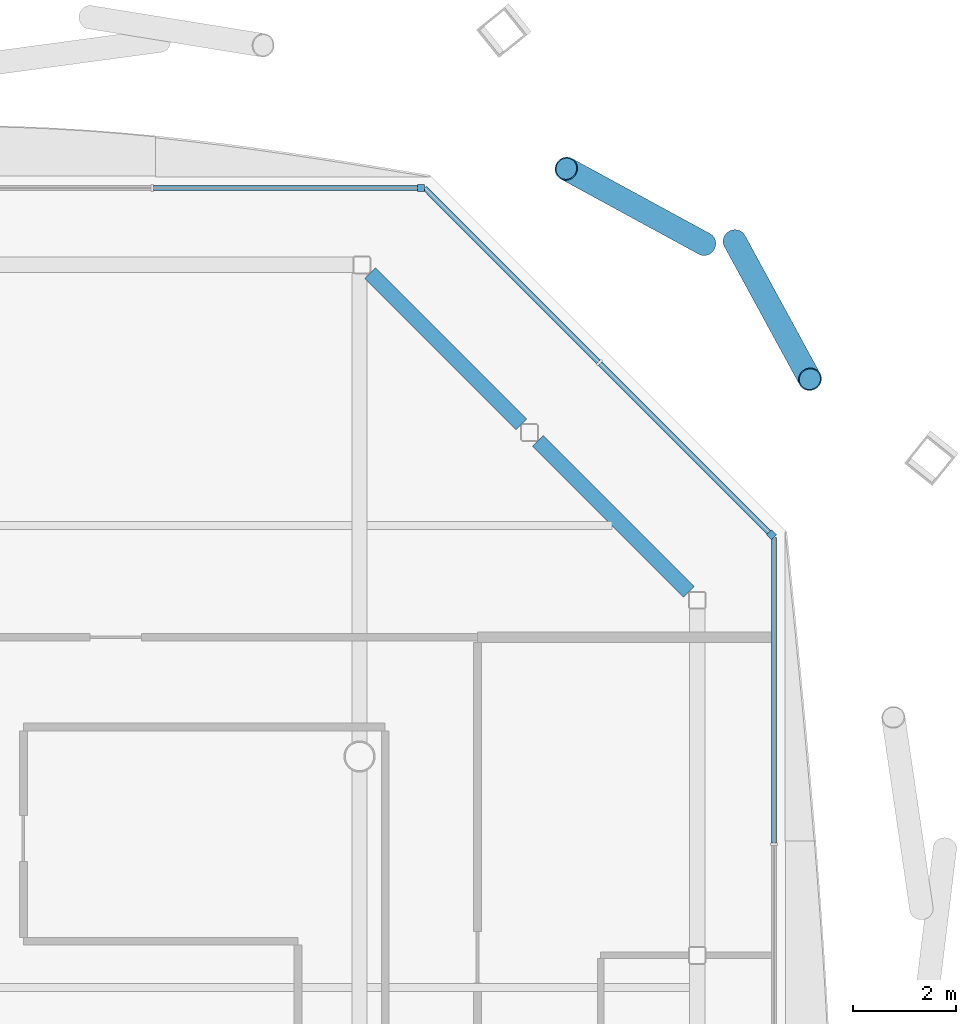
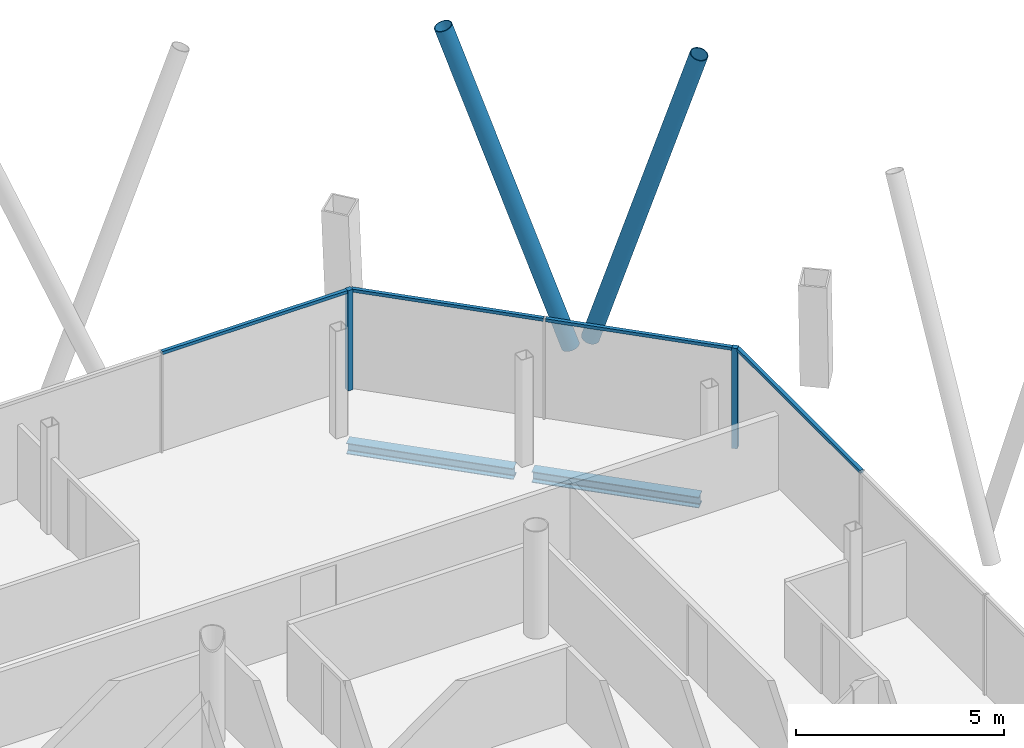
# One storey, part 11 of 19: 8 members, 2 beams, 3 elements without a shape of their own.
"""IFC4 building model written with IfcOpenShell, lengths in metres."""

import ifcopenshell
import ifcopenshell.guid

model = None  # the IFC model being written
_history = None  # IfcOwnerHistory: only IFC2X3 demands one
_inside = {}  # id of a spatial element -> (the spatial element, [elements in it])
_under = {}  # id of a project, library or spatial element -> (it, [spatial elements below it])
_declared = {}  # id of a project -> (the project, [libraries it declares])
_typed = {}  # id of a type object -> (the type object, [elements of that type])
_made_of = {}  # id of a material, layer set ... -> (it, [elements and type objects made of it])


def new_model(schema):
    """Start an empty IFC model of exactly this schema.

    Asked for "IFC4X3", IfcOpenShell would pick the latest addendum, in which some entities
    have other attributes; the version numbers below select the first issue.
    IFC2X3 requires an IfcOwnerHistory on every rooted entity: one is made here for all.
    """
    global model, _history
    if schema == "IFC4X3":
        model = ifcopenshell.file(schema_version=(4, 3, 0, 0))
    else:
        model = ifcopenshell.file(schema=schema)
    _inside.clear()
    _under.clear()
    _declared.clear()
    _typed.clear()
    _made_of.clear()
    _history = None
    if model.schema == "IFC2X3":
        org = make("IfcOrganization", Name="unknown")
        user = make(
            "IfcPersonAndOrganization",
            ThePerson=make("IfcPerson", FamilyName="unknown"),
            TheOrganization=org,
        )
        app = make(
            "IfcApplication",
            ApplicationDeveloper=org,
            Version="unknown",
            ApplicationFullName="unknown",
            ApplicationIdentifier="unknown",
        )
        _history = make(
            "IfcOwnerHistory",
            OwningUser=user,
            OwningApplication=app,
            ChangeAction="ADDED",
            CreationDate=0,
        )
    return model


def make(cls, **values):
    """One entity of the class cls with the attributes given. An attribute that is None is left unset."""
    return model.create_entity(
        cls, **{name: value for name, value in values.items() if value is not None}
    )


def rooted(cls, **values):
    """An entity with a GlobalId (a new one), such as an element, a storey or a relation."""
    return make(cls, GlobalId=ifcopenshell.guid.new(), OwnerHistory=_history, **values)


def si_unit(unit_type, name, prefix=None):
    """IfcSIUnit, for example si_unit("LENGTHUNIT", "METRE", prefix="MILLI")."""
    return make("IfcSIUnit", UnitType=unit_type, Prefix=prefix, Name=name)


def assignment(units):
    """IfcUnitAssignment: the units of a project."""
    return None if units is None else make("IfcUnitAssignment", Units=units)


def point(xyz):
    """IfcCartesianPoint."""
    return None if xyz is None else make("IfcCartesianPoint", Coordinates=xyz)


def direction(xyz):
    """IfcDirection."""
    return None if xyz is None else make("IfcDirection", DirectionRatios=xyz)


def frame(location, z_axis=None, x_axis=None):
    """IfcAxis2Placement3D, a coordinate frame: its origin and axes. An axis left out is left unset."""
    return make(
        "IfcAxis2Placement3D",
        Location=point(location),
        Axis=direction(z_axis),
        RefDirection=direction(x_axis),
    )


def frame_2d(location, x_axis=None):
    """IfcAxis2Placement2D, a coordinate frame in the plane: its origin and x axis."""
    return make(
        "IfcAxis2Placement2D", Location=point(location), RefDirection=direction(x_axis)
    )


def origin():
    """The frame at (0, 0, 0) with its axes left unset."""
    return frame((0.0, 0.0, 0.0))


def origin_2d():
    """The frame at (0, 0) in the plane with its x axis left unset."""
    return frame_2d((0.0, 0.0))


def place(relative_to, where):
    """IfcLocalPlacement: puts the frame where relative to a parent placement (None: the world)."""
    return make(
        "IfcLocalPlacement", PlacementRelTo=relative_to, RelativePlacement=where
    )


def context(
    kind, dimensions, precision=None, world=None, true_north=None, identifier=None
):
    """IfcGeometricRepresentationContext, for example the 3D "Model" context."""
    return make(
        "IfcGeometricRepresentationContext",
        ContextIdentifier=identifier,
        ContextType=kind,
        CoordinateSpaceDimension=dimensions,
        Precision=precision,
        WorldCoordinateSystem=world,
        TrueNorth=true_north,
    )


def subcontext(parent, identifier, kind, view, scale=None):
    """IfcGeometricRepresentationSubContext, for example "Body" below "Model"."""
    return make(
        "IfcGeometricRepresentationSubContext",
        ContextIdentifier=identifier,
        ContextType=kind,
        ParentContext=parent,
        TargetScale=scale,
        TargetView=view,
    )


def project(units=None, contexts=None):
    """IfcProject with its units and contexts."""
    return rooted(
        "IfcProject",
        Name="project",
        RepresentationContexts=contexts,
        UnitsInContext=assignment(units),
    )


def spatial(cls, under=None, at=None, **own):
    """A site, building, storey or space (cls), placed at a placement, below another one or the project."""
    s = rooted(cls, ObjectPlacement=at, **own)
    if under is not None:
        _under.setdefault(under.id(), (under, []))[1].append(s)
    return s


def profile(cls, at=None, kind="AREA", **sizes):
    """A parametric profile (cls). Its sizes go by their IFC names, for example OverallWidth=200.0."""
    return make(cls, ProfileType=kind, Position=at, **sizes)


def rectangle(**sizes):
    """IfcRectangleProfileDef."""
    return profile("IfcRectangleProfileDef", **sizes)


def hollow_circle(**sizes):
    """IfcCircleHollowProfileDef."""
    return profile("IfcCircleHollowProfileDef", **sizes)


def i_section(**sizes):
    """IfcIShapeProfileDef."""
    return profile("IfcIShapeProfileDef", **sizes)


def extrude(swept, where, along, depth):
    """IfcExtrudedAreaSolid: the profile swept, set in the frame where, extruded along a direction by depth."""
    return make(
        "IfcExtrudedAreaSolid",
        SweptArea=swept,
        Position=where,
        ExtrudedDirection=direction(along),
        Depth=depth,
    )


def shape(context_of_items, identifier, shape_type, items):
    """IfcShapeRepresentation: the items that make up one representation, for example the "Body"."""
    return make(
        "IfcShapeRepresentation",
        ContextOfItems=context_of_items,
        RepresentationIdentifier=identifier,
        RepresentationType=shape_type,
        Items=items,
    )


def material(Name=None, Category=None):
    """IfcMaterial."""
    return make("IfcMaterial", Name=Name, Category=Category)


def material_profile(
    of_material, cross_section, Name=None, Category=None, Priority=None
):
    """IfcMaterialProfile: a cross section and its material."""
    return make(
        "IfcMaterialProfile",
        Name=Name,
        Material=of_material,
        Profile=cross_section,
        Priority=Priority,
        Category=Category,
    )


def profile_set(profiles, Name=None, composite=None):
    """IfcMaterialProfileSet."""
    return make(
        "IfcMaterialProfileSet",
        Name=Name,
        MaterialProfiles=profiles,
        CompositeProfile=composite,
    )


def made_of(thing, what):
    """Note that an element or type object is made of a material, layer set ...; save() writes the relation."""
    if what is not None:
        _made_of.setdefault(what.id(), (what, []))[1].append(thing)
    return thing


def type_object(cls, material=None, **own):
    """A type object (cls), such as IfcWallType, which elements share."""
    return made_of(rooted(cls, **own), material)


def element(
    cls,
    number,
    at=None,
    inside=None,
    cuts=None,
    type_object=None,
    material=None,
    context=None,
    identifier="Body",
    shape_type=None,
    held_by="IfcProductDefinitionShape",
    body=None,
    shapes=None,
    **own,
):
    """One element of the class cls, such as IfcWall. Its Tag is "e" and its number.

    at: its placement. inside: the storey or other place that contains it. cuts: it is an
    opening in that element (IfcRelVoidsElement). A single representation is given by context,
    identifier, shape_type and body (its items); several are given by shapes. held_by: the class
    of the entity that holds the representations. save() writes the other relations.
    """
    e = rooted(cls, Tag="e%d" % number, ObjectPlacement=at, **own)
    if body is not None:
        shapes = [shape(context, identifier, shape_type, body)]
    if shapes is not None:
        e.Representation = make(held_by, Representations=shapes)
    if inside is not None:
        _inside.setdefault(inside.id(), (inside, []))[1].append(e)
    if cuts is not None:
        rooted(
            "IfcRelVoidsElement", RelatingBuildingElement=cuts, RelatedOpeningElement=e
        )
    if type_object is not None:
        _typed.setdefault(type_object.id(), (type_object, []))[1].append(e)
    return made_of(e, material)


def aggregate(whole, parts):
    """IfcRelAggregates: a whole, such as a stair, and the parts it consists of."""
    return rooted("IfcRelAggregates", RelatingObject=whole, RelatedObjects=parts)


def save(model, path):
    """Write the relations noted so far, then the file.

    IfcRelAggregates (storeys below a building ...), IfcRelContainedInSpatialStructure (elements
    in a storey), IfcRelDefinesByType, IfcRelAssociatesMaterial and IfcRelDeclares: one each for
    every whole, place, type object, material and project.
    """
    for whole, parts in _under.values():
        aggregate(whole, parts)
    for where, things in _inside.values():
        rooted(
            "IfcRelContainedInSpatialStructure",
            RelatedElements=things,
            RelatingStructure=where,
        )
    for kind, things in _typed.values():
        rooted("IfcRelDefinesByType", RelatedObjects=things, RelatingType=kind)
    for what, things in _made_of.values():
        rooted("IfcRelAssociatesMaterial", RelatedObjects=things, RelatingMaterial=what)
    for by, libraries in _declared.values():
        rooted("IfcRelDeclares", RelatingContext=by, RelatedDefinitions=libraries)
    model.write(path)


model = new_model("IFC4")

# Units and contexts
model_context = context("Model", 3, precision=1e-05, world=origin(), true_north=direction((0.0, 1.0)))
body_context = subcontext(model_context, "Body", "Model", "MODEL_VIEW")
ifc_project = project(units=[si_unit("LENGTHUNIT", "METRE"), si_unit("AREAUNIT", "SQUARE_METRE"), si_unit("VOLUMEUNIT", "CUBIC_METRE"), si_unit("PLANEANGLEUNIT", "RADIAN"), si_unit("MASSUNIT", "GRAM", prefix="KILO")], contexts=[model_context])

# Site, building, storey
site_placement = place(None, origin())
site = spatial("IfcSite", under=ifc_project, at=site_placement, CompositionType="ELEMENT")
building_placement = place(site_placement, origin())
building = spatial("IfcBuilding", under=site, at=building_placement, Name="Tskaro Facet Tower", CompositionType="ELEMENT")
storey_placement = place(building_placement, frame((0.0, 0.0, 191.10009765625)))
storey = spatial("IfcBuildingStorey", under=building, at=storey_placement, Name="L48", CompositionType="ELEMENT", Elevation=191.10009765625)

# Members
ifc_material_1 = material(Name="Steel S355J2H", Category="steel")
ifc_material_profile_1 = material_profile(ifc_material_1, hollow_circle(Radius=0.228515625, WallThickness=0.02001953125, at=origin_2d()), Name="CHS 457x20")
ifc_profile_set_1 = profile_set([ifc_material_profile_1], Name="Steel S355J2H")
member_type_1 = type_object("IfcMemberType", Name="CHS 457x20 brace", PredefinedType="BRACE", material=ifc_profile_set_1)
for number, where, z_axis, x_axis, name in (
    (1, (15.724853515625, 18.989013671875, 0.0), (-0.271206761816, 0.147656195683, 0.951128035662), (-0.478166220349, -0.878269358294, 0.0), "CHS 457x20 XB06A/4"),
    (2, (16.31201171875, 19.048095703125, 0.0), (0.147679248118, -0.27122854255, 0.951118245741), (0.878254135535, 0.478194179613, 0.0), "CHS 457x20 XB06B/4"),
):
    element("IfcMember", number, at=place(storey_placement, frame(where, z_axis=z_axis, x_axis=x_axis)), inside=storey, type_object=member_type_1, Name=name, PredefinedType="BRACE", context=body_context, shape_type="SweptSolid", body=[
        extrude(hollow_circle(Radius=0.228515625, WallThickness=0.02001953125, at=origin_2d()), origin(), (0.0, 0.0, 1.0), 9.935546875),
    ])

# Curtain wall, member
ifc_material_2 = material(Name="Bronze anodised aluminium 6063-T6", Category="aluminium")
curtain_wall_type = type_object("IfcCurtainWallType", Name="Bronze residence curtain wall (FW3)", PredefinedType="NOTDEFINED", material=ifc_material_2)
curtain_wall_1_placement = place(storey_placement, origin())
curtain_wall_1 = element("IfcCurtainWall", 3, at=curtain_wall_1_placement, inside=storey, type_object=curtain_wall_type, Name="FW3 north-east facet L48", PredefinedType="NOTDEFINED")
ifc_material_profile_2 = material_profile(ifc_material_2, rectangle(XDim=0.139892578125, YDim=0.139892578125, at=origin_2d()), Name="Corner post 140x140")
ifc_profile_set_2 = profile_set([ifc_material_profile_2], Name="Bronze anodised aluminium 6063-T6")
member_type_2 = type_object("IfcMemberType", Name="FW3 bronze corner post 140x140", PredefinedType="MULLION", material=ifc_profile_set_2)
member_1_placement = place(storey_placement, frame((17.030517578125, 13.319580078125, 0.0), z_axis=(0.0, 0.0, 1.0), x_axis=(-0.707106781187, 0.707106781187, 0.0)))
member_1 = element("IfcMember", 4, at=member_1_placement, type_object=member_type_2, Name="FW3 north-east corner post", PredefinedType="MULLION", context=body_context, shape_type="SweptSolid", body=[
    extrude(rectangle(XDim=0.139892578125, YDim=0.139892578125, at=origin_2d()), origin(), (0.0, 0.0, 1.0), 2.949951171875),
])

curtain_wall_2_placement = place(storey_placement, origin())
curtain_wall_2 = element("IfcCurtainWall", 5, at=curtain_wall_2_placement, inside=storey, type_object=curtain_wall_type, Name="FW3 north facet L48", PredefinedType="NOTDEFINED")
member_2_placement = place(storey_placement, frame((10.199951171875, 20.080078125, 0.0), z_axis=(0.0, 0.0, 1.0), x_axis=(-1.0, 0.0, 0.0)))
member_2 = element("IfcMember", 6, at=member_2_placement, type_object=member_type_2, Name="FW3 north corner post", PredefinedType="MULLION", context=body_context, shape_type="SweptSolid", body=[
    extrude(rectangle(XDim=0.139892578125, YDim=0.139892578125, at=origin_2d()), origin(), (0.0, 0.0, 1.0), 2.949951171875),
])

curtain_wall_3_placement = place(storey_placement, origin())
curtain_wall_3 = element("IfcCurtainWall", 7, at=curtain_wall_3_placement, inside=storey, type_object=curtain_wall_type, Name="FW3 east facet L48", PredefinedType="NOTDEFINED")
ifc_material_profile_3 = material_profile(ifc_material_2, rectangle(XDim=0.10009765625, YDim=0.090087890625, at=origin_2d()), Name="Transom 100x90")
ifc_profile_set_3 = profile_set([ifc_material_profile_3], Name="Bronze anodised aluminium 6063-T6")
member_type_3 = type_object("IfcMemberType", Name="FW3 bronze transom 100x90", PredefinedType="USERDEFINED", material=ifc_profile_set_3)
member_3_placement = place(storey_placement, frame((17.080078125, 7.3173828125, 2.90478515625), z_axis=(0.0, 1.0, 0.0), x_axis=(-1.0, 0.0, 0.0)))
member_3 = element("IfcMember", 8, at=member_3_placement, type_object=member_type_3, Name="FW3 east transom 5.1", ObjectType="TRANSOM", PredefinedType="USERDEFINED", context=body_context, shape_type="SweptSolid", body=[
    extrude(rectangle(XDim=0.10009765625, YDim=0.090087890625, at=origin_2d()), origin(), (0.0, 0.0, 1.0), 5.95263671875),
])
aggregate(curtain_wall_3, [member_3])

# Member
member_4_placement = place(storey_placement, frame((16.98095703125, 13.368896484375, 2.90478515625), z_axis=(-0.707106781187, 0.707106781187, 0.0), x_axis=(-0.707106781187, -0.707106781187, 0.0)))
member_4 = element("IfcMember", 9, at=member_4_placement, type_object=member_type_3, Name="FW3 north-east transom 1.1", ObjectType="TRANSOM", PredefinedType="USERDEFINED", context=body_context, shape_type="SweptSolid", body=[
    extrude(rectangle(XDim=0.10009765625, YDim=0.090087890625, at=origin_2d()), origin(), (0.0, 0.0, 1.0), 4.650390625),
])

member_5_placement = place(storey_placement, frame((13.6572265625, 16.692626953125, 2.90478515625), z_axis=(-0.707081298484, 0.707132262971, 0.0), x_axis=(-0.707132262971, -0.707081298484, 0.0)))
member_5 = element("IfcMember", 10, at=member_5_placement, type_object=member_type_3, Name="FW3 north-east transom 2.1", ObjectType="TRANSOM", PredefinedType="USERDEFINED", context=body_context, shape_type="SweptSolid", body=[
    extrude(rectangle(XDim=0.10009765625, YDim=0.090087890625, at=origin_2d()), origin(), (0.0, 0.0, 1.0), 4.79052734375),
])

aggregate(curtain_wall_1, [member_1, member_4, member_5])

member_6_placement = place(storey_placement, frame((10.1298828125, 20.080078125, 2.90478515625), z_axis=(-1.0, 0.0, 0.0), x_axis=(0.0, -1.0, 0.0)))
member_6 = element("IfcMember", 11, at=member_6_placement, type_object=member_type_3, Name="FW3 north transom 1.1", ObjectType="TRANSOM", PredefinedType="USERDEFINED", context=body_context, shape_type="SweptSolid", body=[
    extrude(rectangle(XDim=0.10009765625, YDim=0.090087890625, at=origin_2d()), origin(), (0.0, 0.0, 1.0), 5.142822265625),
])

aggregate(curtain_wall_2, [member_2, member_6])

# Beams
ifc_material_3 = material(Name="Steel S355J2", Category="steel")
ifc_material_profile_4 = material_profile(ifc_material_3, i_section(OverallWidth=0.300048828125, OverallDepth=0.320068359375, WebThickness=0.011474609375, FlangeThickness=0.0205078125, FilletRadius=0.027099609375, at=origin_2d()), Name="HE 320 B")
ifc_profile_set_4 = profile_set([ifc_material_profile_4], Name="Steel S355J2")
beam_type = type_object("IfcBeamType", Name="HE 320 B ring beam", PredefinedType="BEAM", material=ifc_profile_set_4)
for number, where, z_axis, x_axis, name in (
    (12, (15.422119140625, 12.206787109375, -0.300048828125), (-0.70722393913, 0.706989603829, 0.0), (-0.706989603829, -0.70722393913, 0.0), "HE 320 B EB10-4"),
    (13, (12.153076171875, 15.474853515625, -0.300048828125), (-0.706989603829, 0.70722393913, 0.0), (-0.70722393913, -0.706989603829, 0.0), "HE 320 B EB11-4"),
):
    element("IfcBeam", number, at=place(storey_placement, frame(where, z_axis=z_axis, x_axis=x_axis)), inside=storey, type_object=beam_type, Name=name, PredefinedType="BEAM", context=body_context, shape_type="SweptSolid", body=[
        extrude(i_section(OverallWidth=0.300048828125, OverallDepth=0.320068359375, WebThickness=0.011474609375, FlangeThickness=0.0205078125, FilletRadius=0.027099609375, at=origin_2d()), origin(), (0.0, 0.0, 1.0), 4.16748046875),
    ])

save(model, "model.ifc")
